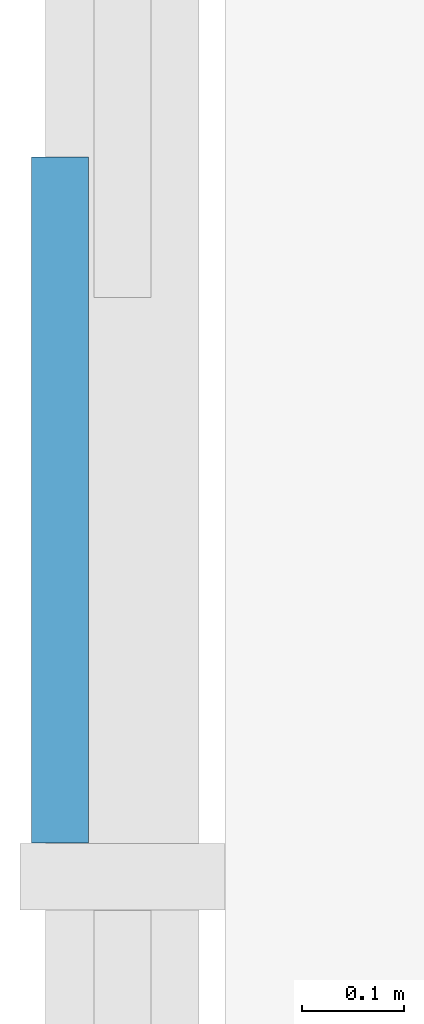
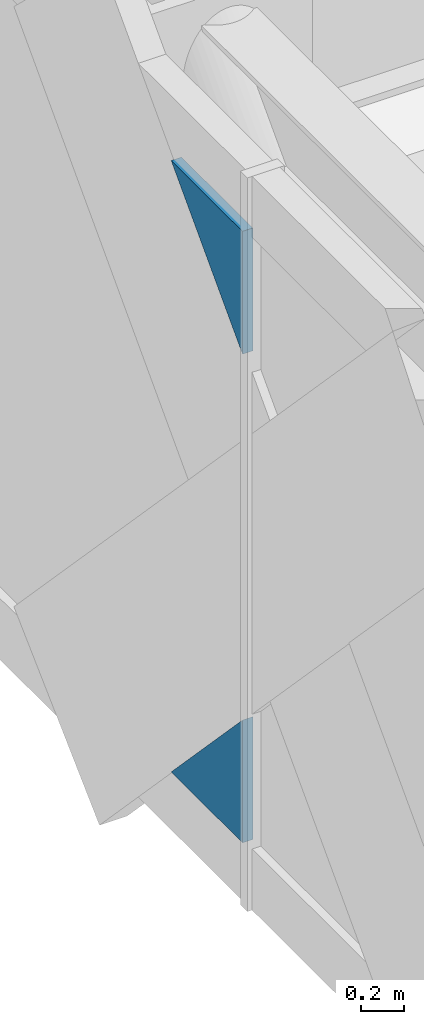
# One storey, part 11 of 17: 2 plates, 1 element without a shape of its own.
"""IFC4 building model written with IfcOpenShell, lengths in metres."""

from ifc_helpers import new_model, si_unit, direction, frame, origin, place, context, subcontext, project, spatial, polyline, outline, extrude, material, layer, layer_set, type_object, element, aggregate, save


model = new_model("IFC4")

# Units and contexts
model_context = context("Model", 3, precision=1e-05, world=origin(), true_north=direction((0.0, 1.0)))
body_context = subcontext(model_context, "Body", "Model", "MODEL_VIEW")
ifc_project = project(units=[si_unit("LENGTHUNIT", "METRE"), si_unit("AREAUNIT", "SQUARE_METRE"), si_unit("VOLUMEUNIT", "CUBIC_METRE"), si_unit("PLANEANGLEUNIT", "RADIAN"), si_unit("MASSUNIT", "GRAM", prefix="KILO")], contexts=[model_context])

# Site, building, storey
site_placement = place(None, origin())
site = spatial("IfcSite", under=ifc_project, at=site_placement, CompositionType="ELEMENT")
building_placement = place(site_placement, origin())
building = spatial("IfcBuilding", under=site, at=building_placement, Name="Rheinbord Bourse Tower", CompositionType="ELEMENT")
storey_placement = place(building_placement, frame((0.0, 0.0, 283.699951171875)))
storey = spatial("IfcBuildingStorey", under=building, at=storey_placement, Name="L64", CompositionType="ELEMENT", Elevation=283.699951171875)

# Curtain wall, plates
ifc_material_1 = material(Name="Dark glass and black aluminium", Category="aluminium")
curtain_wall_type = type_object("IfcCurtainWallType", Name="CW3 DARK GLASS CURTAIN WALL", PredefinedType="USERDEFINED", material=ifc_material_1)
curtain_wall_placement = place(storey_placement, origin())
curtain_wall = element("IfcCurtainWall", 1, at=curtain_wall_placement, inside=storey, type_object=curtain_wall_type, Name="Curtain wall CW3 W L64", ObjectType="UNITISED CURTAIN WALL", PredefinedType="USERDEFINED")
ifc_material_2 = material(Name="Dark tinted triple insulating glass", Category="glass")
ifc_layer = layer(ifc_material_2, 0.055908203125)
ifc_layer_set = layer_set([ifc_layer], Name="CW3 DARK GLASS PANEL")
plate_type = type_object("IfcPlateType", Name="CW3 DARK GLASS PANEL", PredefinedType="CURTAIN_PANEL", material=ifc_layer_set)
plate_1_placement = place(storey_placement, frame((-0.68896484375, 14.23291015625, 0.35009765625), z_axis=(1.0, 0.0, 0.0), x_axis=(0.0, 1.0, 0.0)))
plate_1 = element("IfcPlate", 2, at=plate_1_placement, type_object=plate_type, Name="CW3 glass facet 2", PredefinedType="CURTAIN_PANEL", context=body_context, shape_type="SweptSolid", body=[
    extrude(outline(polyline([(0.0, 0.0), (0.669189453125, 0.0), (0.0, 0.702880859375), (0.0, 0.0)])), origin(), (0.0, 0.0, 1.0), 0.055908203125),
])
plate_2_placement = place(storey_placement, frame((-0.68896484375, 14.23291015625, 3.85009765625), z_axis=(1.0, 0.0, 0.0), x_axis=(0.0, 0.0, -1.0)))
plate_2 = element("IfcPlate", 3, at=plate_2_placement, type_object=plate_type, Name="CW3 glass facet 3", PredefinedType="CURTAIN_PANEL", context=body_context, shape_type="SweptSolid", body=[
    extrude(outline(polyline([(0.0, 0.0), (0.703125, 0.0), (0.0, 0.669189453125), (0.0, 0.0)])), origin(), (0.0, 0.0, 1.0), 0.055908203125),
])
aggregate(curtain_wall, [plate_1, plate_2])

save(model, "model.ifc")
